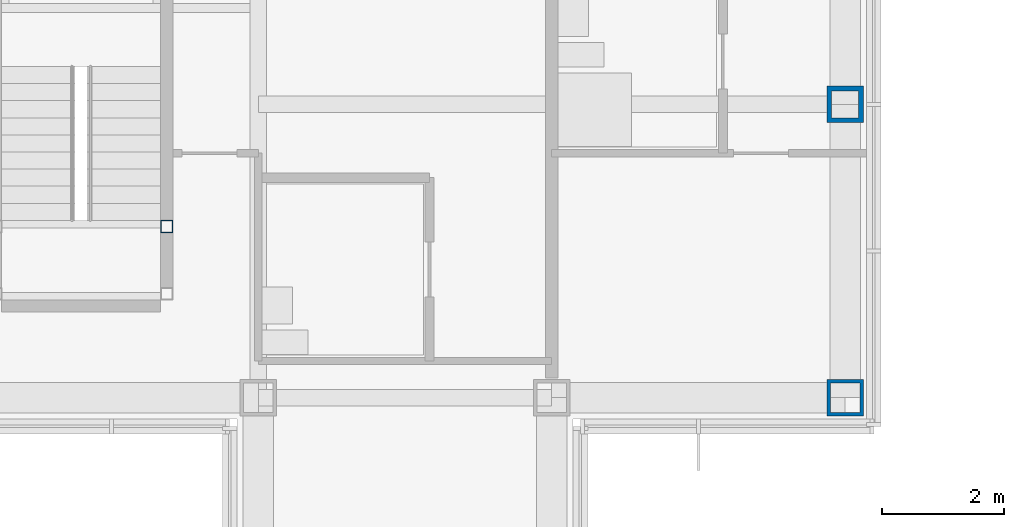
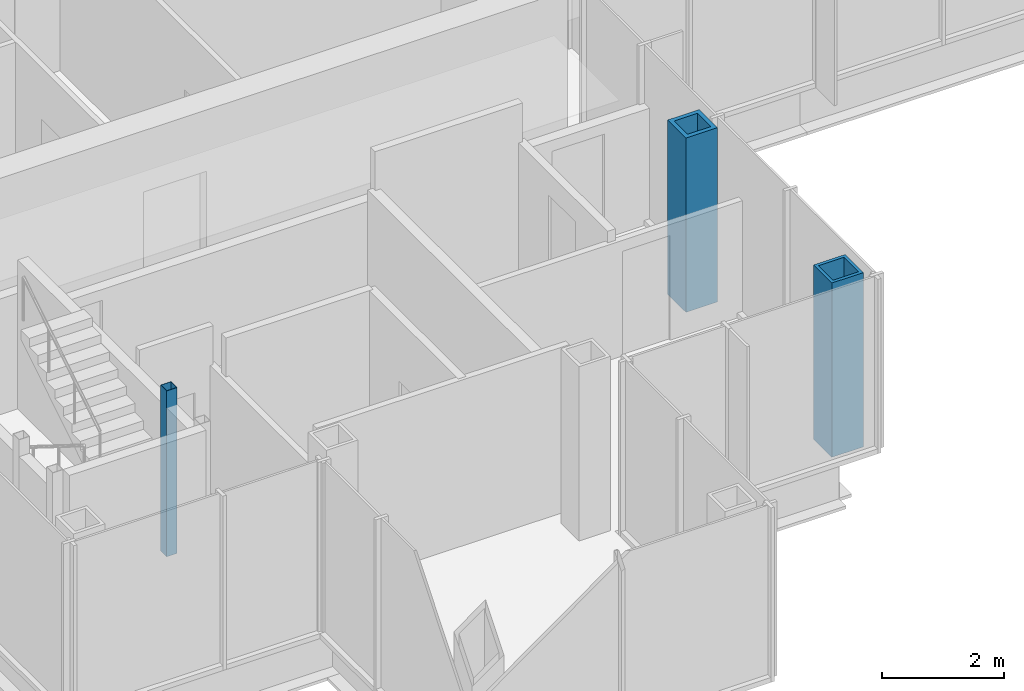
# One storey, part 2 of 17: 3 columns.
"""IFC4 building model written with IfcOpenShell, lengths in metres."""

import ifcopenshell
import ifcopenshell.guid

model = None  # the IFC model being written
_history = None  # IfcOwnerHistory: only IFC2X3 demands one
_inside = {}  # id of a spatial element -> (the spatial element, [elements in it])
_under = {}  # id of a project, library or spatial element -> (it, [spatial elements below it])
_declared = {}  # id of a project -> (the project, [libraries it declares])
_typed = {}  # id of a type object -> (the type object, [elements of that type])
_made_of = {}  # id of a material, layer set ... -> (it, [elements and type objects made of it])


def new_model(schema):
    """Start an empty IFC model of exactly this schema.

    Asked for "IFC4X3", IfcOpenShell would pick the latest addendum, in which some entities
    have other attributes; the version numbers below select the first issue.
    IFC2X3 requires an IfcOwnerHistory on every rooted entity: one is made here for all.
    """
    global model, _history
    if schema == "IFC4X3":
        model = ifcopenshell.file(schema_version=(4, 3, 0, 0))
    else:
        model = ifcopenshell.file(schema=schema)
    _inside.clear()
    _under.clear()
    _declared.clear()
    _typed.clear()
    _made_of.clear()
    _history = None
    if model.schema == "IFC2X3":
        org = make("IfcOrganization", Name="unknown")
        user = make(
            "IfcPersonAndOrganization",
            ThePerson=make("IfcPerson", FamilyName="unknown"),
            TheOrganization=org,
        )
        app = make(
            "IfcApplication",
            ApplicationDeveloper=org,
            Version="unknown",
            ApplicationFullName="unknown",
            ApplicationIdentifier="unknown",
        )
        _history = make(
            "IfcOwnerHistory",
            OwningUser=user,
            OwningApplication=app,
            ChangeAction="ADDED",
            CreationDate=0,
        )
    return model


def make(cls, **values):
    """One entity of the class cls with the attributes given. An attribute that is None is left unset."""
    return model.create_entity(
        cls, **{name: value for name, value in values.items() if value is not None}
    )


def rooted(cls, **values):
    """An entity with a GlobalId (a new one), such as an element, a storey or a relation."""
    return make(cls, GlobalId=ifcopenshell.guid.new(), OwnerHistory=_history, **values)


def si_unit(unit_type, name, prefix=None):
    """IfcSIUnit, for example si_unit("LENGTHUNIT", "METRE", prefix="MILLI")."""
    return make("IfcSIUnit", UnitType=unit_type, Prefix=prefix, Name=name)


def assignment(units):
    """IfcUnitAssignment: the units of a project."""
    return None if units is None else make("IfcUnitAssignment", Units=units)


def point(xyz):
    """IfcCartesianPoint."""
    return None if xyz is None else make("IfcCartesianPoint", Coordinates=xyz)


def direction(xyz):
    """IfcDirection."""
    return None if xyz is None else make("IfcDirection", DirectionRatios=xyz)


def frame(location, z_axis=None, x_axis=None):
    """IfcAxis2Placement3D, a coordinate frame: its origin and axes. An axis left out is left unset."""
    return make(
        "IfcAxis2Placement3D",
        Location=point(location),
        Axis=direction(z_axis),
        RefDirection=direction(x_axis),
    )


def frame_2d(location, x_axis=None):
    """IfcAxis2Placement2D, a coordinate frame in the plane: its origin and x axis."""
    return make(
        "IfcAxis2Placement2D", Location=point(location), RefDirection=direction(x_axis)
    )


def origin():
    """The frame at (0, 0, 0) with its axes left unset."""
    return frame((0.0, 0.0, 0.0))


def origin_2d():
    """The frame at (0, 0) in the plane with its x axis left unset."""
    return frame_2d((0.0, 0.0))


def place(relative_to, where):
    """IfcLocalPlacement: puts the frame where relative to a parent placement (None: the world)."""
    return make(
        "IfcLocalPlacement", PlacementRelTo=relative_to, RelativePlacement=where
    )


def context(
    kind, dimensions, precision=None, world=None, true_north=None, identifier=None
):
    """IfcGeometricRepresentationContext, for example the 3D "Model" context."""
    return make(
        "IfcGeometricRepresentationContext",
        ContextIdentifier=identifier,
        ContextType=kind,
        CoordinateSpaceDimension=dimensions,
        Precision=precision,
        WorldCoordinateSystem=world,
        TrueNorth=true_north,
    )


def subcontext(parent, identifier, kind, view, scale=None):
    """IfcGeometricRepresentationSubContext, for example "Body" below "Model"."""
    return make(
        "IfcGeometricRepresentationSubContext",
        ContextIdentifier=identifier,
        ContextType=kind,
        ParentContext=parent,
        TargetScale=scale,
        TargetView=view,
    )


def project(units=None, contexts=None):
    """IfcProject with its units and contexts."""
    return rooted(
        "IfcProject",
        Name="project",
        RepresentationContexts=contexts,
        UnitsInContext=assignment(units),
    )


def spatial(cls, under=None, at=None, **own):
    """A site, building, storey or space (cls), placed at a placement, below another one or the project."""
    s = rooted(cls, ObjectPlacement=at, **own)
    if under is not None:
        _under.setdefault(under.id(), (under, []))[1].append(s)
    return s


def profile(cls, at=None, kind="AREA", **sizes):
    """A parametric profile (cls). Its sizes go by their IFC names, for example OverallWidth=200.0."""
    return make(cls, ProfileType=kind, Position=at, **sizes)


def hollow_rectangle(**sizes):
    """IfcRectangleHollowProfileDef."""
    return profile("IfcRectangleHollowProfileDef", **sizes)


def extrude(swept, where, along, depth):
    """IfcExtrudedAreaSolid: the profile swept, set in the frame where, extruded along a direction by depth."""
    return make(
        "IfcExtrudedAreaSolid",
        SweptArea=swept,
        Position=where,
        ExtrudedDirection=direction(along),
        Depth=depth,
    )


def shape(context_of_items, identifier, shape_type, items):
    """IfcShapeRepresentation: the items that make up one representation, for example the "Body"."""
    return make(
        "IfcShapeRepresentation",
        ContextOfItems=context_of_items,
        RepresentationIdentifier=identifier,
        RepresentationType=shape_type,
        Items=items,
    )


def material(Name=None, Category=None):
    """IfcMaterial."""
    return make("IfcMaterial", Name=Name, Category=Category)


def material_profile(
    of_material, cross_section, Name=None, Category=None, Priority=None
):
    """IfcMaterialProfile: a cross section and its material."""
    return make(
        "IfcMaterialProfile",
        Name=Name,
        Material=of_material,
        Profile=cross_section,
        Priority=Priority,
        Category=Category,
    )


def profile_set(profiles, Name=None, composite=None):
    """IfcMaterialProfileSet."""
    return make(
        "IfcMaterialProfileSet",
        Name=Name,
        MaterialProfiles=profiles,
        CompositeProfile=composite,
    )


def made_of(thing, what):
    """Note that an element or type object is made of a material, layer set ...; save() writes the relation."""
    if what is not None:
        _made_of.setdefault(what.id(), (what, []))[1].append(thing)
    return thing


def type_object(cls, material=None, **own):
    """A type object (cls), such as IfcWallType, which elements share."""
    return made_of(rooted(cls, **own), material)


def element(
    cls,
    number,
    at=None,
    inside=None,
    cuts=None,
    type_object=None,
    material=None,
    context=None,
    identifier="Body",
    shape_type=None,
    held_by="IfcProductDefinitionShape",
    body=None,
    shapes=None,
    **own,
):
    """One element of the class cls, such as IfcWall. Its Tag is "e" and its number.

    at: its placement. inside: the storey or other place that contains it. cuts: it is an
    opening in that element (IfcRelVoidsElement). A single representation is given by context,
    identifier, shape_type and body (its items); several are given by shapes. held_by: the class
    of the entity that holds the representations. save() writes the other relations.
    """
    e = rooted(cls, Tag="e%d" % number, ObjectPlacement=at, **own)
    if body is not None:
        shapes = [shape(context, identifier, shape_type, body)]
    if shapes is not None:
        e.Representation = make(held_by, Representations=shapes)
    if inside is not None:
        _inside.setdefault(inside.id(), (inside, []))[1].append(e)
    if cuts is not None:
        rooted(
            "IfcRelVoidsElement", RelatingBuildingElement=cuts, RelatedOpeningElement=e
        )
    if type_object is not None:
        _typed.setdefault(type_object.id(), (type_object, []))[1].append(e)
    return made_of(e, material)


def aggregate(whole, parts):
    """IfcRelAggregates: a whole, such as a stair, and the parts it consists of."""
    return rooted("IfcRelAggregates", RelatingObject=whole, RelatedObjects=parts)


def save(model, path):
    """Write the relations noted so far, then the file.

    IfcRelAggregates (storeys below a building ...), IfcRelContainedInSpatialStructure (elements
    in a storey), IfcRelDefinesByType, IfcRelAssociatesMaterial and IfcRelDeclares: one each for
    every whole, place, type object, material and project.
    """
    for whole, parts in _under.values():
        aggregate(whole, parts)
    for where, things in _inside.values():
        rooted(
            "IfcRelContainedInSpatialStructure",
            RelatedElements=things,
            RelatingStructure=where,
        )
    for kind, things in _typed.values():
        rooted("IfcRelDefinesByType", RelatedObjects=things, RelatingType=kind)
    for what, things in _made_of.values():
        rooted("IfcRelAssociatesMaterial", RelatedObjects=things, RelatingMaterial=what)
    for by, libraries in _declared.values():
        rooted("IfcRelDeclares", RelatingContext=by, RelatedDefinitions=libraries)
    model.write(path)


model = new_model("IFC4")

# Units and contexts
model_context = context("Model", 3, precision=1e-05, world=origin(), true_north=direction((0.0, 1.0)))
body_context = subcontext(model_context, "Body", "Model", "MODEL_VIEW")
ifc_project = project(units=[si_unit("LENGTHUNIT", "METRE"), si_unit("AREAUNIT", "SQUARE_METRE"), si_unit("VOLUMEUNIT", "CUBIC_METRE"), si_unit("PLANEANGLEUNIT", "RADIAN"), si_unit("MASSUNIT", "GRAM", prefix="KILO")], contexts=[model_context])

# Site, building, storey
site_placement = place(None, origin())
site = spatial("IfcSite", under=ifc_project, at=site_placement, CompositionType="ELEMENT")
building_placement = place(site_placement, origin())
building = spatial("IfcBuilding", under=site, at=building_placement, Name="Kvirike Care Tower", CompositionType="ELEMENT")
storey_placement = place(building_placement, frame((0.0, 0.0, 169.0)))
storey = spatial("IfcBuildingStorey", under=building, at=storey_placement, Name="L46", CompositionType="ELEMENT", Elevation=169.0)

# Columns
ifc_material_1 = material(Name="Steel S460", Category="steel")
ifc_material_profile_1 = material_profile(ifc_material_1, hollow_rectangle(XDim=0.60009765625, YDim=0.60009765625, WallThickness=0.06005859375, at=origin_2d()), Name="BX 600x600x60")
ifc_profile_set_1 = profile_set([ifc_material_profile_1], Name="Steel S460")
column_type_1 = type_object("IfcColumnType", Name="COLUMN BX 600x600x60", PredefinedType="COLUMN", material=ifc_profile_set_1)
column_1_placement = place(storey_placement, frame((28.800048828125, 19.199951171875, 0.0), z_axis=(0.0, 0.0, 1.0), x_axis=(0.0, 1.0, 0.0)))
element("IfcColumn", 1, at=column_1_placement, inside=storey, type_object=column_type_1, Name="Column E9 L46", PredefinedType="COLUMN", context=body_context, shape_type="SweptSolid", body=[
    extrude(hollow_rectangle(XDim=0.60009765625, YDim=0.60009765625, WallThickness=0.06005859375, at=origin_2d()), origin(), (0.0, 0.0, 1.0), 3.5),
])
ifc_material_2 = material(Name="Steel S460", Category="steel")
ifc_material_profile_2 = material_profile(ifc_material_2, hollow_rectangle(XDim=0.60009765625, YDim=0.60009765625, WallThickness=0.080078125, at=origin_2d()), Name="BX 600x600x80")
ifc_profile_set_2 = profile_set([ifc_material_profile_2], Name="Steel S460")
column_type_2 = type_object("IfcColumnType", Name="COLUMN BX 600x600x80", PredefinedType="COLUMN", material=ifc_profile_set_2)
column_2_placement = place(storey_placement, frame((28.800048828125, 24.0, 0.0), z_axis=(0.0, 0.0, 1.0), x_axis=(1.0, 0.0, 0.0)))
element("IfcColumn", 2, at=column_2_placement, inside=storey, type_object=column_type_2, Name="Column F9 L46", PredefinedType="COLUMN", context=body_context, shape_type="SweptSolid", body=[
    extrude(hollow_rectangle(XDim=0.60009765625, YDim=0.60009765625, WallThickness=0.080078125, at=origin_2d()), origin(), (0.0, 0.0, 1.0), 3.5),
])
ifc_material_3 = material(Name="Steel S460", Category="steel")
ifc_material_profile_3 = material_profile(ifc_material_3, hollow_rectangle(XDim=0.199951171875, YDim=0.199951171875, WallThickness=0.008056640625, at=origin_2d()), Name="SHS 200x200x8")
ifc_profile_set_3 = profile_set([ifc_material_profile_3], Name="Steel S460")
column_type_3 = type_object("IfcColumnType", Name="STAIR POST SHS 200x200x8", PredefinedType="COLUMN", material=ifc_profile_set_3)
column_3_placement = place(storey_placement, frame((17.699951171875, 22.0, 0.0), z_axis=(0.0, 0.0, 1.0), x_axis=(1.0, 0.0, 0.0)))
element("IfcColumn", 3, at=column_3_placement, inside=storey, type_object=column_type_3, Name="Stair 5 post 4 L46", PredefinedType="COLUMN", context=body_context, shape_type="SweptSolid", body=[
    extrude(hollow_rectangle(XDim=0.199951171875, YDim=0.199951171875, WallThickness=0.008056640625, at=origin_2d()), origin(), (0.0, 0.0, 1.0), 3.330078125),
])

save(model, "model.ifc")
